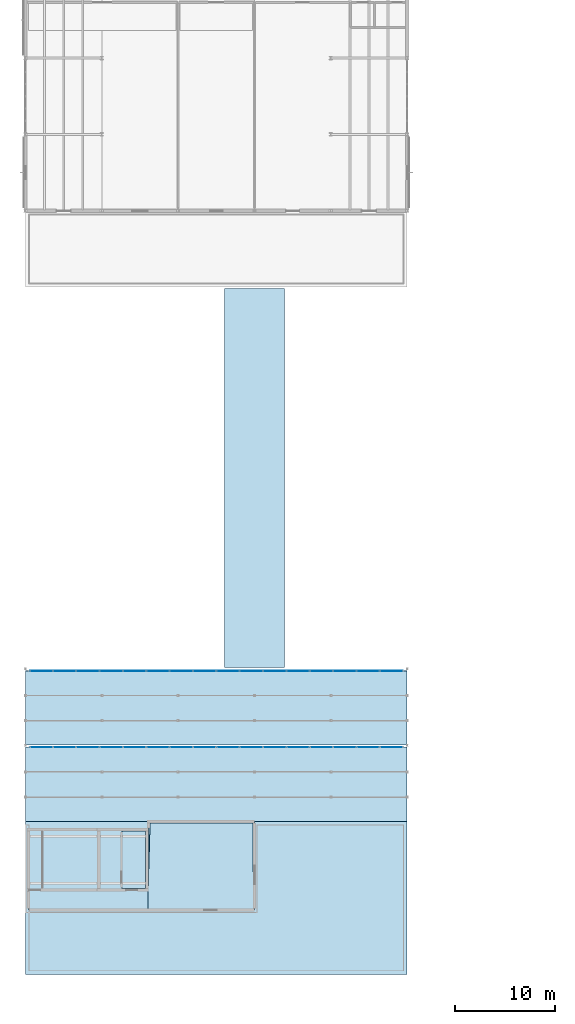
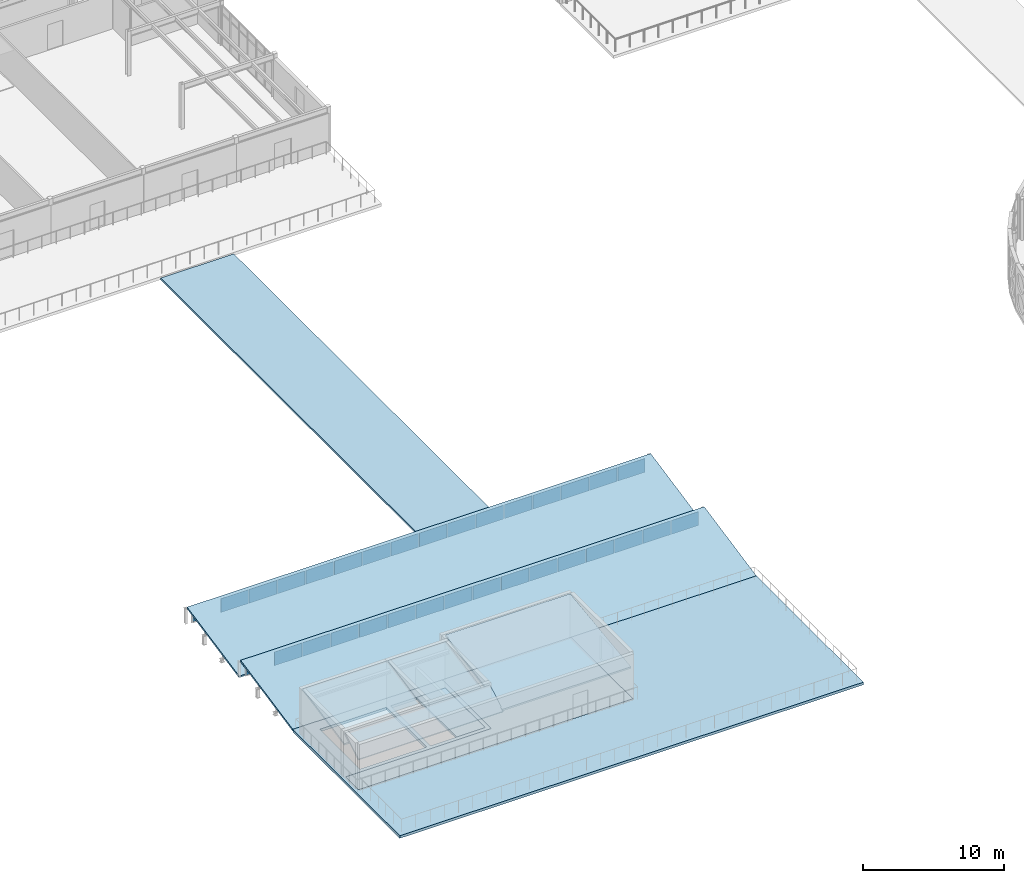
# One storey, part 69 of 114: 32 plates, 10 slabs, 2 elements without a shape of their own.
"""IFC4 building model written with IfcOpenShell, lengths in metres."""

from ifc_helpers import new_model, si_unit, direction, frame, origin, origin_2d, place, context, subcontext, project, spatial, polyline, rectangle, outline, extrude, material, layer, layer_set, type_object, element, aggregate, save


model = new_model("IFC4")

# Units and contexts
model_context = context("Model", 3, precision=1e-05, world=origin(), true_north=direction((0.0, 1.0)))
body_context = subcontext(model_context, "Body", "Model", "MODEL_VIEW")
ifc_project = project(units=[si_unit("LENGTHUNIT", "METRE"), si_unit("AREAUNIT", "SQUARE_METRE"), si_unit("VOLUMEUNIT", "CUBIC_METRE"), si_unit("PLANEANGLEUNIT", "RADIAN"), si_unit("MASSUNIT", "GRAM", prefix="KILO")], contexts=[model_context])

# Site, building, storey
site_placement = place(None, origin())
site = spatial("IfcSite", under=ifc_project, at=site_placement, CompositionType="ELEMENT")
building_placement = place(site_placement, origin())
building = spatial("IfcBuilding", under=site, at=building_placement, Name="Montecoro Central Library", CompositionType="ELEMENT")
storey_placement = place(building_placement, frame((0.0, 0.0, 13.260009765625)))
storey = spatial("IfcBuildingStorey", under=building, at=storey_placement, Name="L03", CompositionType="ELEMENT", Elevation=13.260009765625)

# Curtain wall, plates
ifc_material_1 = material(Name="Bronze-anodised aluminium and low-E glazing", Category="aluminium")
ifc_layer_1 = layer(ifc_material_1, 0.159912109375)
ifc_layer_set_1 = layer_set([ifc_layer_1], Name="Bronze-anodised aluminium and low-E glazing")
curtain_wall_type_1 = type_object("IfcCurtainWallType", Name="CWT-036", PredefinedType="NOTDEFINED", material=ifc_layer_set_1)
curtain_wall_1_placement = place(storey_placement, origin())
curtain_wall_1 = element("IfcCurtainWall", 1, at=curtain_wall_1_placement, inside=storey, type_object=curtain_wall_type_1, Name="V3-ROOF-SAWCW-1", PredefinedType="NOTDEFINED")
ifc_material_2 = material(Name="Laminated low-E double glazing", Category="glass")
ifc_layer_2 = layer(ifc_material_2, 0.030029296875)
ifc_layer_set_2 = layer_set([ifc_layer_2], Name="Laminated low-E double glazing")
plate_type = type_object("IfcPlateType", Name="CWP-GLZ-02", PredefinedType="CURTAIN_PANEL", material=ifc_layer_set_2)
plate_1_placement = place(storey_placement, frame((6.577392578125, 27.60009765625, 0.06005859375), z_axis=(0.0, 0.0, 1.0), x_axis=(1.0, 0.0, 0.0)))
plate_1 = element("IfcPlate", 2, at=plate_1_placement, type_object=plate_type, Name="CW-036 panel 1.1", PredefinedType="CURTAIN_PANEL", context=body_context, shape_type="SweptSolid", body=[
    extrude(rectangle(XDim=2.235107421875, YDim=0.030029296875, at=origin_2d()), origin(), (0.0, 0.0, 1.0), 1.199951171875),
])
plate_2_placement = place(storey_placement, frame((8.887451171875, 27.60009765625, 0.06005859375), z_axis=(0.0, 0.0, 1.0), x_axis=(1.0, 0.0, 0.0)))
plate_2 = element("IfcPlate", 3, at=plate_2_placement, type_object=plate_type, Name="CW-036 panel 2.1", PredefinedType="CURTAIN_PANEL", context=body_context, shape_type="SweptSolid", body=[
    extrude(rectangle(XDim=2.264892578125, YDim=0.030029296875, at=origin_2d()), origin(), (0.0, 0.0, 1.0), 1.199951171875),
])
plate_3_placement = place(storey_placement, frame((11.21240234375, 27.60009765625, 0.06005859375), z_axis=(0.0, 0.0, 1.0), x_axis=(1.0, 0.0, 0.0)))
plate_3 = element("IfcPlate", 4, at=plate_3_placement, type_object=plate_type, Name="CW-036 panel 3.1", PredefinedType="CURTAIN_PANEL", context=body_context, shape_type="SweptSolid", body=[
    extrude(rectangle(XDim=2.264892578125, YDim=0.030029296875, at=origin_2d()), origin(), (0.0, 0.0, 1.0), 1.199951171875),
])
plate_4_placement = place(storey_placement, frame((13.53759765625, 27.60009765625, 0.06005859375), z_axis=(0.0, 0.0, 1.0), x_axis=(1.0, 0.0, 0.0)))
plate_4 = element("IfcPlate", 5, at=plate_4_placement, type_object=plate_type, Name="CW-036 panel 4.1", PredefinedType="CURTAIN_PANEL", context=body_context, shape_type="SweptSolid", body=[
    extrude(rectangle(XDim=2.264892578125, YDim=0.030029296875, at=origin_2d()), origin(), (0.0, 0.0, 1.0), 1.199951171875),
])
plate_5_placement = place(storey_placement, frame((15.862548828125, 27.60009765625, 0.06005859375), z_axis=(0.0, 0.0, 1.0), x_axis=(1.0, 0.0, 0.0)))
plate_5 = element("IfcPlate", 6, at=plate_5_placement, type_object=plate_type, Name="CW-036 panel 5.1", PredefinedType="CURTAIN_PANEL", context=body_context, shape_type="SweptSolid", body=[
    extrude(rectangle(XDim=2.264892578125, YDim=0.030029296875, at=origin_2d()), origin(), (0.0, 0.0, 1.0), 1.199951171875),
])
plate_6_placement = place(storey_placement, frame((18.1875, 27.60009765625, 0.06005859375), z_axis=(0.0, 0.0, 1.0), x_axis=(1.0, 0.0, 0.0)))
plate_6 = element("IfcPlate", 7, at=plate_6_placement, type_object=plate_type, Name="CW-036 panel 6.1", PredefinedType="CURTAIN_PANEL", context=body_context, shape_type="SweptSolid", body=[
    extrude(rectangle(XDim=2.264892578125, YDim=0.030029296875, at=origin_2d()), origin(), (0.0, 0.0, 1.0), 1.199951171875),
])
plate_7_placement = place(storey_placement, frame((20.512451171875, 27.60009765625, 0.06005859375), z_axis=(0.0, 0.0, 1.0), x_axis=(1.0, 0.0, 0.0)))
plate_7 = element("IfcPlate", 8, at=plate_7_placement, type_object=plate_type, Name="CW-036 panel 7.1", PredefinedType="CURTAIN_PANEL", context=body_context, shape_type="SweptSolid", body=[
    extrude(rectangle(XDim=2.264892578125, YDim=0.030029296875, at=origin_2d()), origin(), (0.0, 0.0, 1.0), 1.199951171875),
])
plate_8_placement = place(storey_placement, frame((22.83740234375, 27.60009765625, 0.06005859375), z_axis=(0.0, 0.0, 1.0), x_axis=(1.0, 0.0, 0.0)))
plate_8 = element("IfcPlate", 9, at=plate_8_placement, type_object=plate_type, Name="CW-036 panel 8.1", PredefinedType="CURTAIN_PANEL", context=body_context, shape_type="SweptSolid", body=[
    extrude(rectangle(XDim=2.264892578125, YDim=0.030029296875, at=origin_2d()), origin(), (0.0, 0.0, 1.0), 1.199951171875),
])
plate_9_placement = place(storey_placement, frame((25.16259765625, 27.60009765625, 0.06005859375), z_axis=(0.0, 0.0, 1.0), x_axis=(1.0, 0.0, 0.0)))
plate_9 = element("IfcPlate", 10, at=plate_9_placement, type_object=plate_type, Name="CW-036 panel 9.1", PredefinedType="CURTAIN_PANEL", context=body_context, shape_type="SweptSolid", body=[
    extrude(rectangle(XDim=2.264892578125, YDim=0.030029296875, at=origin_2d()), origin(), (0.0, 0.0, 1.0), 1.199951171875),
])
plate_10_placement = place(storey_placement, frame((27.487548828125, 27.60009765625, 0.06005859375), z_axis=(0.0, 0.0, 1.0), x_axis=(1.0, 0.0, 0.0)))
plate_10 = element("IfcPlate", 11, at=plate_10_placement, type_object=plate_type, Name="CW-036 panel 10.1", PredefinedType="CURTAIN_PANEL", context=body_context, shape_type="SweptSolid", body=[
    extrude(rectangle(XDim=2.264892578125, YDim=0.030029296875, at=origin_2d()), origin(), (0.0, 0.0, 1.0), 1.199951171875),
])
plate_11_placement = place(storey_placement, frame((29.8125, 27.60009765625, 0.06005859375), z_axis=(0.0, 0.0, 1.0), x_axis=(1.0, 0.0, 0.0)))
plate_11 = element("IfcPlate", 12, at=plate_11_placement, type_object=plate_type, Name="CW-036 panel 11.1", PredefinedType="CURTAIN_PANEL", context=body_context, shape_type="SweptSolid", body=[
    extrude(rectangle(XDim=2.264892578125, YDim=0.030029296875, at=origin_2d()), origin(), (0.0, 0.0, 1.0), 1.199951171875),
])
plate_12_placement = place(storey_placement, frame((32.137451171875, 27.60009765625, 0.06005859375), z_axis=(0.0, 0.0, 1.0), x_axis=(1.0, 0.0, 0.0)))
plate_12 = element("IfcPlate", 13, at=plate_12_placement, type_object=plate_type, Name="CW-036 panel 12.1", PredefinedType="CURTAIN_PANEL", context=body_context, shape_type="SweptSolid", body=[
    extrude(rectangle(XDim=2.264892578125, YDim=0.030029296875, at=origin_2d()), origin(), (0.0, 0.0, 1.0), 1.199951171875),
])
plate_13_placement = place(storey_placement, frame((34.46240234375, 27.60009765625, 0.06005859375), z_axis=(0.0, 0.0, 1.0), x_axis=(1.0, 0.0, 0.0)))
plate_13 = element("IfcPlate", 14, at=plate_13_placement, type_object=plate_type, Name="CW-036 panel 13.1", PredefinedType="CURTAIN_PANEL", context=body_context, shape_type="SweptSolid", body=[
    extrude(rectangle(XDim=2.264892578125, YDim=0.030029296875, at=origin_2d()), origin(), (0.0, 0.0, 1.0), 1.199951171875),
])
plate_14_placement = place(storey_placement, frame((36.78759765625, 27.60009765625, 0.06005859375), z_axis=(0.0, 0.0, 1.0), x_axis=(1.0, 0.0, 0.0)))
plate_14 = element("IfcPlate", 15, at=plate_14_placement, type_object=plate_type, Name="CW-036 panel 14.1", PredefinedType="CURTAIN_PANEL", context=body_context, shape_type="SweptSolid", body=[
    extrude(rectangle(XDim=2.264892578125, YDim=0.030029296875, at=origin_2d()), origin(), (0.0, 0.0, 1.0), 1.199951171875),
])
plate_15_placement = place(storey_placement, frame((39.112548828125, 27.60009765625, 0.06005859375), z_axis=(0.0, 0.0, 1.0), x_axis=(1.0, 0.0, 0.0)))
plate_15 = element("IfcPlate", 16, at=plate_15_placement, type_object=plate_type, Name="CW-036 panel 15.1", PredefinedType="CURTAIN_PANEL", context=body_context, shape_type="SweptSolid", body=[
    extrude(rectangle(XDim=2.264892578125, YDim=0.030029296875, at=origin_2d()), origin(), (0.0, 0.0, 1.0), 1.199951171875),
])
plate_16_placement = place(storey_placement, frame((41.422607421875, 27.60009765625, 0.06005859375), z_axis=(0.0, 0.0, 1.0), x_axis=(1.0, 0.0, 0.0)))
plate_16 = element("IfcPlate", 17, at=plate_16_placement, type_object=plate_type, Name="CW-036 panel 16.1", PredefinedType="CURTAIN_PANEL", context=body_context, shape_type="SweptSolid", body=[
    extrude(rectangle(XDim=2.235107421875, YDim=0.030029296875, at=origin_2d()), origin(), (0.0, 0.0, 1.0), 1.199951171875),
])
aggregate(curtain_wall_1, [plate_1, plate_2, plate_3, plate_4, plate_5, plate_6, plate_7, plate_8, plate_9, plate_10, plate_11, plate_12, plate_13, plate_14, plate_15, plate_16])

ifc_layer_3 = layer(ifc_material_1, 0.159912109375)
ifc_layer_set_3 = layer_set([ifc_layer_3], Name="Bronze-anodised aluminium and low-E glazing")
curtain_wall_type_2 = type_object("IfcCurtainWallType", Name="CWT-037", PredefinedType="NOTDEFINED", material=ifc_layer_set_3)
curtain_wall_2_placement = place(storey_placement, origin())
curtain_wall_2 = element("IfcCurtainWall", 18, at=curtain_wall_2_placement, inside=storey, type_object=curtain_wall_type_2, Name="V3-ROOF-SAWCW-2", PredefinedType="NOTDEFINED")
plate_17_placement = place(storey_placement, frame((6.577392578125, 35.199951171875, 0.06005859375), z_axis=(0.0, 0.0, 1.0), x_axis=(1.0, 0.0, 0.0)))
plate_17 = element("IfcPlate", 19, at=plate_17_placement, type_object=plate_type, Name="CW-037 panel 1.1", PredefinedType="CURTAIN_PANEL", context=body_context, shape_type="SweptSolid", body=[
    extrude(rectangle(XDim=2.235107421875, YDim=0.030029296875, at=origin_2d()), origin(), (0.0, 0.0, 1.0), 1.199951171875),
])
plate_18_placement = place(storey_placement, frame((8.887451171875, 35.199951171875, 0.06005859375), z_axis=(0.0, 0.0, 1.0), x_axis=(1.0, 0.0, 0.0)))
plate_18 = element("IfcPlate", 20, at=plate_18_placement, type_object=plate_type, Name="CW-037 panel 2.1", PredefinedType="CURTAIN_PANEL", context=body_context, shape_type="SweptSolid", body=[
    extrude(rectangle(XDim=2.264892578125, YDim=0.030029296875, at=origin_2d()), origin(), (0.0, 0.0, 1.0), 1.199951171875),
])
plate_19_placement = place(storey_placement, frame((11.21240234375, 35.199951171875, 0.06005859375), z_axis=(0.0, 0.0, 1.0), x_axis=(1.0, 0.0, 0.0)))
plate_19 = element("IfcPlate", 21, at=plate_19_placement, type_object=plate_type, Name="CW-037 panel 3.1", PredefinedType="CURTAIN_PANEL", context=body_context, shape_type="SweptSolid", body=[
    extrude(rectangle(XDim=2.264892578125, YDim=0.030029296875, at=origin_2d()), origin(), (0.0, 0.0, 1.0), 1.199951171875),
])
plate_20_placement = place(storey_placement, frame((13.53759765625, 35.199951171875, 0.06005859375), z_axis=(0.0, 0.0, 1.0), x_axis=(1.0, 0.0, 0.0)))
plate_20 = element("IfcPlate", 22, at=plate_20_placement, type_object=plate_type, Name="CW-037 panel 4.1", PredefinedType="CURTAIN_PANEL", context=body_context, shape_type="SweptSolid", body=[
    extrude(rectangle(XDim=2.264892578125, YDim=0.030029296875, at=origin_2d()), origin(), (0.0, 0.0, 1.0), 1.199951171875),
])
plate_21_placement = place(storey_placement, frame((15.862548828125, 35.199951171875, 0.06005859375), z_axis=(0.0, 0.0, 1.0), x_axis=(1.0, 0.0, 0.0)))
plate_21 = element("IfcPlate", 23, at=plate_21_placement, type_object=plate_type, Name="CW-037 panel 5.1", PredefinedType="CURTAIN_PANEL", context=body_context, shape_type="SweptSolid", body=[
    extrude(rectangle(XDim=2.264892578125, YDim=0.030029296875, at=origin_2d()), origin(), (0.0, 0.0, 1.0), 1.199951171875),
])
plate_22_placement = place(storey_placement, frame((18.1875, 35.199951171875, 0.06005859375), z_axis=(0.0, 0.0, 1.0), x_axis=(1.0, 0.0, 0.0)))
plate_22 = element("IfcPlate", 24, at=plate_22_placement, type_object=plate_type, Name="CW-037 panel 6.1", PredefinedType="CURTAIN_PANEL", context=body_context, shape_type="SweptSolid", body=[
    extrude(rectangle(XDim=2.264892578125, YDim=0.030029296875, at=origin_2d()), origin(), (0.0, 0.0, 1.0), 1.199951171875),
])
plate_23_placement = place(storey_placement, frame((20.512451171875, 35.199951171875, 0.06005859375), z_axis=(0.0, 0.0, 1.0), x_axis=(1.0, 0.0, 0.0)))
plate_23 = element("IfcPlate", 25, at=plate_23_placement, type_object=plate_type, Name="CW-037 panel 7.1", PredefinedType="CURTAIN_PANEL", context=body_context, shape_type="SweptSolid", body=[
    extrude(rectangle(XDim=2.264892578125, YDim=0.030029296875, at=origin_2d()), origin(), (0.0, 0.0, 1.0), 1.199951171875),
])
plate_24_placement = place(storey_placement, frame((22.83740234375, 35.199951171875, 0.06005859375), z_axis=(0.0, 0.0, 1.0), x_axis=(1.0, 0.0, 0.0)))
plate_24 = element("IfcPlate", 26, at=plate_24_placement, type_object=plate_type, Name="CW-037 panel 8.1", PredefinedType="CURTAIN_PANEL", context=body_context, shape_type="SweptSolid", body=[
    extrude(rectangle(XDim=2.264892578125, YDim=0.030029296875, at=origin_2d()), origin(), (0.0, 0.0, 1.0), 1.199951171875),
])
plate_25_placement = place(storey_placement, frame((25.16259765625, 35.199951171875, 0.06005859375), z_axis=(0.0, 0.0, 1.0), x_axis=(1.0, 0.0, 0.0)))
plate_25 = element("IfcPlate", 27, at=plate_25_placement, type_object=plate_type, Name="CW-037 panel 9.1", PredefinedType="CURTAIN_PANEL", context=body_context, shape_type="SweptSolid", body=[
    extrude(rectangle(XDim=2.264892578125, YDim=0.030029296875, at=origin_2d()), origin(), (0.0, 0.0, 1.0), 1.199951171875),
])
plate_26_placement = place(storey_placement, frame((27.487548828125, 35.199951171875, 0.06005859375), z_axis=(0.0, 0.0, 1.0), x_axis=(1.0, 0.0, 0.0)))
plate_26 = element("IfcPlate", 28, at=plate_26_placement, type_object=plate_type, Name="CW-037 panel 10.1", PredefinedType="CURTAIN_PANEL", context=body_context, shape_type="SweptSolid", body=[
    extrude(rectangle(XDim=2.264892578125, YDim=0.030029296875, at=origin_2d()), origin(), (0.0, 0.0, 1.0), 1.199951171875),
])
plate_27_placement = place(storey_placement, frame((29.8125, 35.199951171875, 0.06005859375), z_axis=(0.0, 0.0, 1.0), x_axis=(1.0, 0.0, 0.0)))
plate_27 = element("IfcPlate", 29, at=plate_27_placement, type_object=plate_type, Name="CW-037 panel 11.1", PredefinedType="CURTAIN_PANEL", context=body_context, shape_type="SweptSolid", body=[
    extrude(rectangle(XDim=2.264892578125, YDim=0.030029296875, at=origin_2d()), origin(), (0.0, 0.0, 1.0), 1.199951171875),
])
plate_28_placement = place(storey_placement, frame((32.137451171875, 35.199951171875, 0.06005859375), z_axis=(0.0, 0.0, 1.0), x_axis=(1.0, 0.0, 0.0)))
plate_28 = element("IfcPlate", 30, at=plate_28_placement, type_object=plate_type, Name="CW-037 panel 12.1", PredefinedType="CURTAIN_PANEL", context=body_context, shape_type="SweptSolid", body=[
    extrude(rectangle(XDim=2.264892578125, YDim=0.030029296875, at=origin_2d()), origin(), (0.0, 0.0, 1.0), 1.199951171875),
])
plate_29_placement = place(storey_placement, frame((34.46240234375, 35.199951171875, 0.06005859375), z_axis=(0.0, 0.0, 1.0), x_axis=(1.0, 0.0, 0.0)))
plate_29 = element("IfcPlate", 31, at=plate_29_placement, type_object=plate_type, Name="CW-037 panel 13.1", PredefinedType="CURTAIN_PANEL", context=body_context, shape_type="SweptSolid", body=[
    extrude(rectangle(XDim=2.264892578125, YDim=0.030029296875, at=origin_2d()), origin(), (0.0, 0.0, 1.0), 1.199951171875),
])
plate_30_placement = place(storey_placement, frame((36.78759765625, 35.199951171875, 0.06005859375), z_axis=(0.0, 0.0, 1.0), x_axis=(1.0, 0.0, 0.0)))
plate_30 = element("IfcPlate", 32, at=plate_30_placement, type_object=plate_type, Name="CW-037 panel 14.1", PredefinedType="CURTAIN_PANEL", context=body_context, shape_type="SweptSolid", body=[
    extrude(rectangle(XDim=2.264892578125, YDim=0.030029296875, at=origin_2d()), origin(), (0.0, 0.0, 1.0), 1.199951171875),
])
plate_31_placement = place(storey_placement, frame((39.112548828125, 35.199951171875, 0.06005859375), z_axis=(0.0, 0.0, 1.0), x_axis=(1.0, 0.0, 0.0)))
plate_31 = element("IfcPlate", 33, at=plate_31_placement, type_object=plate_type, Name="CW-037 panel 15.1", PredefinedType="CURTAIN_PANEL", context=body_context, shape_type="SweptSolid", body=[
    extrude(rectangle(XDim=2.264892578125, YDim=0.030029296875, at=origin_2d()), origin(), (0.0, 0.0, 1.0), 1.199951171875),
])
plate_32_placement = place(storey_placement, frame((41.422607421875, 35.199951171875, 0.06005859375), z_axis=(0.0, 0.0, 1.0), x_axis=(1.0, 0.0, 0.0)))
plate_32 = element("IfcPlate", 34, at=plate_32_placement, type_object=plate_type, Name="CW-037 panel 16.1", PredefinedType="CURTAIN_PANEL", context=body_context, shape_type="SweptSolid", body=[
    extrude(rectangle(XDim=2.235107421875, YDim=0.030029296875, at=origin_2d()), origin(), (0.0, 0.0, 1.0), 1.199951171875),
])
aggregate(curtain_wall_2, [plate_17, plate_18, plate_19, plate_20, plate_21, plate_22, plate_23, plate_24, plate_25, plate_26, plate_27, plate_28, plate_29, plate_30, plate_31, plate_32])

# Slabs
ifc_material_3 = material(Name="Concrete C32/40", Category="concrete")
ifc_layer_4 = layer(ifc_material_3, 0.179931640625)
ifc_layer_set_4 = layer_set([ifc_layer_4], Name="Concrete C32/40")
slab_type_1 = type_object("IfcSlabType", Name="SL-FLR-180", PredefinedType="FLOOR", material=ifc_layer_set_4)
slab_1_placement = place(storey_placement, frame((0.0, 0.0, -0.179931640625)))
element("IfcSlab", 35, at=slab_1_placement, inside=storey, type_object=slab_type_1, Name="C4 Roof Garden Lift Vestibule Slab", PredefinedType="FLOOR", context=body_context, shape_type="SweptSolid", body=[
    extrude(outline(polyline([(14.60009765625, 13.56005859375), (16.93994140625, 13.56005859375), (16.93994140625, 19.239990234375), (14.60009765625, 19.239990234375), (14.60009765625, 13.56005859375)])), origin(), (0.0, 0.0, 1.0), 0.179931640625),
])
slab_2_placement = place(storey_placement, frame((0.0, 0.0, -0.179931640625)))
element("IfcSlab", 36, at=slab_2_placement, inside=storey, type_object=slab_type_1, Name="Children's Roof Garden Sunroom Slab", PredefinedType="FLOOR", context=body_context, shape_type="SweptSolid", body=[
    extrude(outline(polyline([(5.300048828125, 11.39990234375), (27.800048828125, 11.39990234375), (27.800048828125, 20.199951171875), (17.260009765625, 20.199951171875), (17.260009765625, 13.239990234375), (5.300048828125, 13.239990234375), (5.300048828125, 11.39990234375)])), origin(), (0.0, 0.0, 1.0), 0.179931640625),
])
ifc_layer_5 = layer(ifc_material_3, 0.172119140625)
ifc_layer_set_5 = layer_set([ifc_layer_5], Name="Concrete C32/40")
slab_type_2 = type_object("IfcSlabType", Name="SL-ROOF-172", PredefinedType="ROOF", material=ifc_layer_set_5)
slab_3_placement = place(storey_placement, frame((0.0, 0.0, -0.172119140625)))
element("IfcSlab", 37, at=slab_3_placement, inside=storey, type_object=slab_type_2, Name="BR-W Skybridge Link Bridge Slab", PredefinedType="ROOF", context=body_context, shape_type="SweptSolid", body=[
    extrude(outline(polyline([(24.800048828125, 35.5400390625), (30.800048828125, 35.5400390625), (30.800048828125, 73.260009765625), (24.800048828125, 73.260009765625), (24.800048828125, 35.5400390625)])), origin(), (0.0, 0.0, 1.0), 0.172119140625),
])
ifc_layer_6 = layer(ifc_material_3, 0.1650390625)
ifc_layer_set_6 = layer_set([ifc_layer_6], Name="Concrete C32/40")
slab_type_3 = type_object("IfcSlabType", Name="SL-SAW-165", PredefinedType="ROOF", material=ifc_layer_set_6)
slab_4_placement = place(storey_placement, frame((5.0, 20.199951171875, 0.0), z_axis=(0.0, -0.198658650511, 0.980068742781), x_axis=(1.0, 0.0, 0.0)))
element("IfcSlab", 38, at=slab_4_placement, inside=storey, type_object=slab_type_3, Name="V3-ROOF-SAW1", PredefinedType="ROOF", context=body_context, shape_type="SweptSolid", body=[
    extrude(outline(polyline([(0.0, 0.0), (38.0, 0.0), (38.0, 7.550640237106234), (0.0, 7.550640237106234), (0.0, 0.0)])), origin(), (0.0, 0.0, -1.0), 0.1650390625),
])
slab_5_placement = place(storey_placement, frame((5.0, 27.800048828125, 0.0), z_axis=(0.0, -0.198664946063, 0.98006746666), x_axis=(1.0, 0.0, 0.0)))
element("IfcSlab", 39, at=slab_5_placement, inside=storey, type_object=slab_type_3, Name="V3-ROOF-SAW2", PredefinedType="ROOF", context=body_context, shape_type="SweptSolid", body=[
    extrude(outline(polyline([(0.0, 0.0), (38.0, 0.0), (38.0, 7.5504009626666), (0.0, 7.5504009626666), (0.0, 0.0)])), origin(), (0.0, 0.0, -1.0), 0.1650390625),
])
slab_6_placement = place(storey_placement, frame((5.320068359375, 13.419921875, 2.75), z_axis=(0.0, -0.192620899906, 0.981273248855), x_axis=(1.0, 0.0, 0.0)))
element("IfcSlab", 40, at=slab_6_placement, inside=storey, type_object=slab_type_3, Name="V3-L03-HH-ROOF", PredefinedType="ROOF", context=body_context, shape_type="SweptSolid", body=[
    extrude(outline(polyline([(0.0, 0.0), (6.9599609375, 0.0), (6.9599609375, 6.073701636574635), (0.0, 6.073701636574635), (0.0, 0.0)])), origin(), (0.0, 0.0, -1.0), 0.1650390625),
])
slab_7_placement = place(storey_placement, frame((12.320068359375, 13.419921875, 2.75), z_axis=(0.0, -0.192620899906, 0.981273248855), x_axis=(1.0, 0.0, 0.0)))
element("IfcSlab", 41, at=slab_7_placement, inside=storey, type_object=slab_type_3, Name="V3-L03-LHH-ROOF", PredefinedType="ROOF", context=body_context, shape_type="SweptSolid", body=[
    extrude(outline(polyline([(0.0, 0.0), (4.760009765625, 0.0), (4.760009765625, 6.073701636574635), (0.0, 6.073701636574635), (0.0, 0.0)])), origin(), (0.0, 0.0, -1.0), 0.1650390625),
])
slab_8_placement = place(storey_placement, frame((5.340087890625, 11.43994140625, 2.60009765625), z_axis=(0.0, -0.503795905878, 0.863822716314), x_axis=(1.0, 0.0, 0.0)))
element("IfcSlab", 42, at=slab_8_placement, inside=storey, type_object=slab_type_3, Name="V3-L03-FOY-ROOF", PredefinedType="ROOF", context=body_context, shape_type="SweptSolid", body=[
    extrude(outline(polyline([(0.0, 0.0), (11.8798828125, 0.0), (11.8798828125, 2.222870479510285), (0.0, 2.222870479510285), (0.0, 0.0)])), origin(), (0.0, 0.0, -1.0), 0.1650390625),
])
slab_9_placement = place(storey_placement, frame((17.159912109375, 11.5, 2.75), z_axis=(0.0, -0.135568940102, 0.990767915548), x_axis=(1.0, 0.0, 0.0)))
element("IfcSlab", 43, at=slab_9_placement, inside=storey, type_object=slab_type_3, Name="V3-L03-SUN-ROOF", PredefinedType="ROOF", context=body_context, shape_type="SweptSolid", body=[
    extrude(outline(polyline([(0.0, 0.0), (10.5400390625, 0.0), (10.489990234375, 8.62971912387218), (0.25, 8.62971912387218), (0.0, 0.0)])), origin(), (0.0, 0.0, -1.0), 0.1650390625),
])
ifc_material_4 = material(Name="Planted garden concrete C32/40", Category="concrete")
ifc_layer_7 = layer(ifc_material_4, 0.22998046875)
ifc_layer_set_7 = layer_set([ifc_layer_7], Name="Planted garden concrete C32/40")
slab_type_4 = type_object("IfcSlabType", Name="SL-TER-230", PredefinedType="FLOOR", material=ifc_layer_set_7)
slab_10_placement = place(storey_placement, frame((0.0, 0.0, -0.22998046875)))
element("IfcSlab", 44, at=slab_10_placement, inside=storey, type_object=slab_type_4, Name="Children's Pavilion Roof Garden", PredefinedType="FLOOR", context=body_context, shape_type="SweptSolid", body=[
    extrude(outline(polyline([(5.0, 5.0), (43.0, 5.0), (43.0, 20.199951171875), (27.800048828125, 20.199951171875), (27.800048828125, 11.39990234375), (5.300048828125, 11.39990234375), (5.300048828125, 13.239990234375), (17.260009765625, 13.239990234375), (17.260009765625, 20.199951171875), (5.0, 20.199951171875), (5.0, 5.0)]), holes=[polyline([(6.679931640625, 13.56005859375), (6.679931640625, 19.239990234375), (12.139892578125, 19.239990234375), (12.139892578125, 13.56005859375), (6.679931640625, 13.56005859375)]), polyline([(12.4599609375, 13.56005859375), (12.4599609375, 19.239990234375), (16.9599609375, 19.239990234375), (16.9599609375, 13.56005859375), (12.4599609375, 13.56005859375)])]), origin(), (0.0, 0.0, 1.0), 0.22998046875),
])

save(model, "model.ifc")
